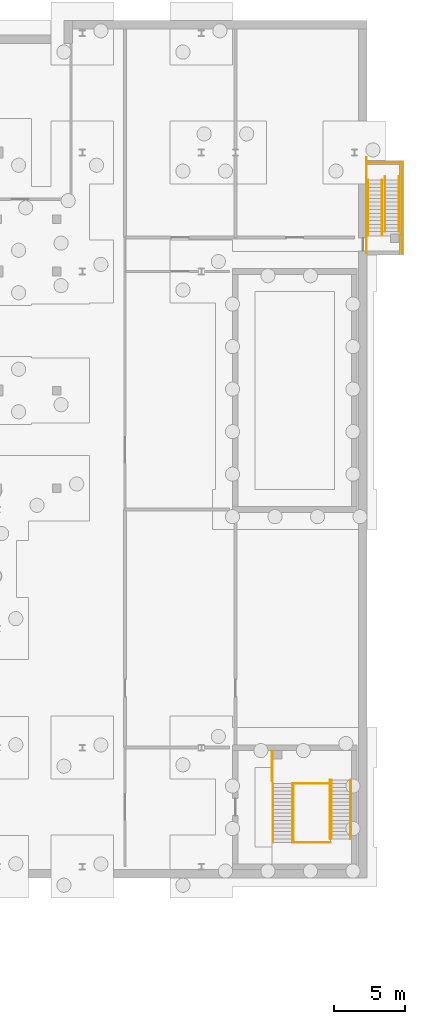
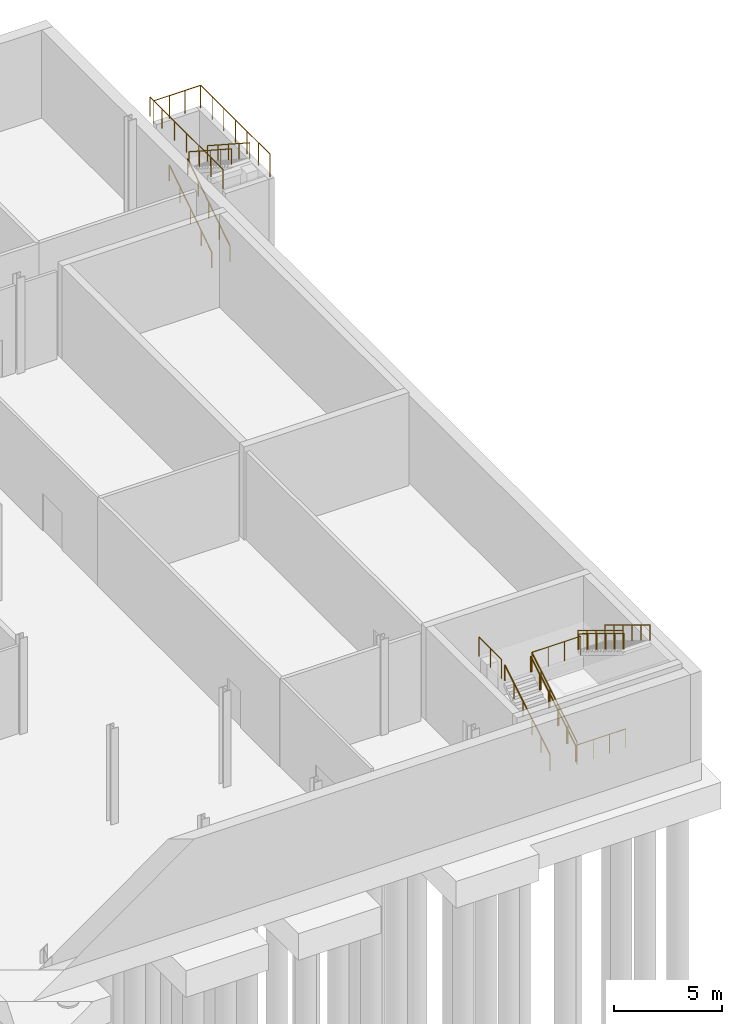
# One storey, part 29 of 29: 15 railings.
"""IFC4 building model written with IfcOpenShell, lengths in metres."""

from ifc_helpers import new_model, si_unit, direction, frame, origin, origin_2d, place, context, subcontext, project, spatial, circle, extrude, material, type_object, element, save


model = new_model("IFC4")

# Units and contexts
model_context = context("Model", 3, precision=1e-05, world=origin(), true_north=direction((0.0, 1.0)))
body_context = subcontext(model_context, "Body", "Model", "MODEL_VIEW")
ifc_project = project(units=[si_unit("LENGTHUNIT", "METRE"), si_unit("AREAUNIT", "SQUARE_METRE"), si_unit("VOLUMEUNIT", "CUBIC_METRE"), si_unit("PLANEANGLEUNIT", "RADIAN"), si_unit("MASSUNIT", "GRAM", prefix="KILO")], contexts=[model_context])

# Site, building, storey
site_placement = place(None, origin())
site = spatial("IfcSite", under=ifc_project, at=site_placement, CompositionType="ELEMENT")
building_placement = place(site_placement, origin())
building = spatial("IfcBuilding", under=site, at=building_placement, Name="Cresset Court Congress Hotel", CompositionType="ELEMENT")
storey_placement = place(building_placement, frame((0.0, 0.0, -5.39990234375)))
storey = spatial("IfcBuildingStorey", under=building, at=storey_placement, Name="B1", CompositionType="ELEMENT", Elevation=-5.39990234375)

# Railings
ifc_material_1 = material(Name="Stainless steel", Category="steel")
railing_type_1 = type_object("IfcRailingType", Name="Stair guard 1100", PredefinedType="GUARDRAIL", material=ifc_material_1)
railing_1_placement = place(storey_placement, frame((170.60009765625, 6.06005859375, 2.699951171875)))
element("IfcRailing", 1, at=railing_1_placement, inside=storey, type_object=railing_type_1, Name="Guard A1 B1", PredefinedType="GUARDRAIL", context=body_context, shape_type="SweptSolid", body=[
    extrude(circle(Radius=0.02392578125, at=origin_2d()), frame((0.0, 0.0, 1.076171875), z_axis=(0.0, 1.0, 0.0), x_axis=(-1.0, 0.0, 0.0)), (0.0, 0.0, 1.0), 2.08984375),
    extrude(circle(Radius=0.02099609375, at=origin_2d()), origin(), (0.0, 0.0, 1.0), 1.052001953125),
    extrude(circle(Radius=0.02099609375, at=origin_2d()), frame((0.0, 1.044921875, 0.0)), (0.0, 0.0, 1.0), 1.052001953125),
    extrude(circle(Radius=0.02099609375, at=origin_2d()), frame((0.0, 2.08984375, 0.0)), (0.0, 0.0, 1.0), 1.052001953125),
])
railing_2_placement = place(storey_placement, frame((172.10009765625, 1.699951171875, 0.15869140625)))
element("IfcRailing", 2, at=railing_2_placement, inside=storey, type_object=railing_type_1, Name="Guard A1 B1", PredefinedType="GUARDRAIL", context=body_context, shape_type="SweptSolid", body=[
    extrude(circle(Radius=0.02392578125, at=origin_2d()), frame((0.0, 0.0, 1.076171875), z_axis=(0.0, 0.853378379481, 0.52129199249), x_axis=(-1.0, 0.0, 0.0)), (0.0, 0.0, 1.0), 4.875),
    extrude(circle(Radius=0.02099609375, at=origin_2d()), origin(), (0.0, 0.0, 1.0), 1.052001953125),
    extrude(circle(Radius=0.02099609375, at=origin_2d()), frame((0.0, 0.83203125, 0.50830078125)), (0.0, 0.0, 1.0), 1.052001953125),
    extrude(circle(Radius=0.02099609375, at=origin_2d()), frame((0.0, 1.6640625, 1.0166015625)), (0.0, 0.0, 1.0), 1.052001953125),
    extrude(circle(Radius=0.02099609375, at=origin_2d()), frame((0.0, 2.49609375, 1.524658203125)), (0.0, 0.0, 1.0), 1.052001953125),
    extrude(circle(Radius=0.02099609375, at=origin_2d()), frame((0.0, 3.328125, 2.032958984375)), (0.0, 0.0, 1.0), 1.052001953125),
    extrude(circle(Radius=0.02099609375, at=origin_2d()), frame((0.0, 4.16015625, 2.541259765625)), (0.0, 0.0, 1.0), 1.052001953125),
])
railing_3_placement = place(storey_placement, frame((174.699951171875, 6.1201171875, 2.858642578125)))
element("IfcRailing", 3, at=railing_3_placement, inside=storey, type_object=railing_type_1, Name="Guard A1 B1", PredefinedType="GUARDRAIL", context=body_context, shape_type="SweptSolid", body=[
    extrude(circle(Radius=0.02392578125, at=origin_2d()), frame((0.0, 0.0, 1.076171875), z_axis=(0.0, -0.853378379481, 0.52129199249), x_axis=(1.0, 0.0, 0.0)), (0.0, 0.0, 1.0), 4.875),
    extrude(circle(Radius=0.02099609375, at=origin_2d()), origin(), (0.0, 0.0, 1.0), 1.052001953125),
    extrude(circle(Radius=0.02099609375, at=origin_2d()), frame((0.0, -0.83203125, 0.50830078125)), (0.0, 0.0, 1.0), 1.052001953125),
    extrude(circle(Radius=0.02099609375, at=origin_2d()), frame((0.0, -1.6640625, 1.0166015625)), (0.0, 0.0, 1.0), 1.052001953125),
    extrude(circle(Radius=0.02099609375, at=origin_2d()), frame((0.0, -2.49609375, 1.524658203125)), (0.0, 0.0, 1.0), 1.052001953125),
    extrude(circle(Radius=0.02099609375, at=origin_2d()), frame((0.0, -3.328125, 2.032958984375)), (0.0, 0.0, 1.0), 1.052001953125),
    extrude(circle(Radius=0.02099609375, at=origin_2d()), frame((0.0, -4.16015625, 2.541259765625)), (0.0, 0.0, 1.0), 1.052001953125),
])
for number, where, name in (
    (4, (172.10009765625, 1.699951171875, 0.0), "Guard A1 B1"),
    (5, (172.10009765625, 5.860107421875, 2.699951171875), "Guard A1 B1"),
):
    element("IfcRailing", number, at=place(storey_placement, frame(where)), inside=storey, type_object=railing_type_1, Name=name, PredefinedType="GUARDRAIL", context=body_context, shape_type="SweptSolid", body=[
        extrude(circle(Radius=0.02392578125, at=origin_2d()), frame((0.0, 0.0, 1.076171875), z_axis=(1.0, 0.0, 0.0), x_axis=(0.0, 1.0, 0.0)), (0.0, 0.0, 1.0), 2.599853515625),
        extrude(circle(Radius=0.02099609375, at=origin_2d()), origin(), (0.0, 0.0, 1.0), 1.052001953125),
        extrude(circle(Radius=0.02099609375, at=origin_2d()), frame((0.86669921875, 0.0, 0.0)), (0.0, 0.0, 1.0), 1.052001953125),
        extrude(circle(Radius=0.02099609375, at=origin_2d()), frame((1.733154296875, 0.0, 0.0)), (0.0, 0.0, 1.0), 1.052001953125),
        extrude(circle(Radius=0.02099609375, at=origin_2d()), frame((2.599853515625, 0.0, 0.0)), (0.0, 0.0, 1.0), 1.052001953125),
    ])
railing_4_placement = place(storey_placement, frame((177.25, 43.300048828125, 5.39990234375)))
element("IfcRailing", 6, at=railing_4_placement, inside=storey, type_object=railing_type_1, Name="Guard A3 well west", PredefinedType="GUARDRAIL", context=body_context, shape_type="SweptSolid", body=[
    extrude(circle(Radius=0.02392578125, at=origin_2d()), frame((0.0, 0.0, 1.076171875), z_axis=(0.0, 1.0, 0.0), x_axis=(-1.0, 0.0, 0.0)), (0.0, 0.0, 1.0), 6.75),
    extrude(circle(Radius=0.02099609375, at=origin_2d()), origin(), (0.0, 0.0, 1.0), 1.052001953125),
    extrude(circle(Radius=0.02099609375, at=origin_2d()), frame((0.0, 1.125, 0.0)), (0.0, 0.0, 1.0), 1.052001953125),
    extrude(circle(Radius=0.02099609375, at=origin_2d()), frame((0.0, 2.25, 0.0)), (0.0, 0.0, 1.0), 1.052001953125),
    extrude(circle(Radius=0.02099609375, at=origin_2d()), frame((0.0, 3.375, 0.0)), (0.0, 0.0, 1.0), 1.052001953125),
    extrude(circle(Radius=0.02099609375, at=origin_2d()), frame((0.0, 4.5, 0.0)), (0.0, 0.0, 1.0), 1.052001953125),
    extrude(circle(Radius=0.02099609375, at=origin_2d()), frame((0.0, 5.625, 0.0)), (0.0, 0.0, 1.0), 1.052001953125),
    extrude(circle(Radius=0.02099609375, at=origin_2d()), frame((0.0, 6.75, 0.0)), (0.0, 0.0, 1.0), 1.052001953125),
])
ifc_material_2 = material(Name="Stainless steel", Category="steel")
railing_type_2 = type_object("IfcRailingType", Name="Stair guard 1300", PredefinedType="GUARDRAIL", material=ifc_material_2)
railing_5_placement = place(storey_placement, frame((177.25, 49.699951171875, 5.199951171875)))
element("IfcRailing", 7, at=railing_5_placement, inside=storey, type_object=railing_type_2, Name="Guard A3 well north and east", PredefinedType="GUARDRAIL", context=body_context, shape_type="SweptSolid", body=[
    extrude(circle(Radius=0.02392578125, at=origin_2d()), frame((0.0, 0.0, 1.27587890625), z_axis=(1.0, 0.0, 0.0), x_axis=(0.0, 1.0, 0.0)), (0.0, 0.0, 1.0), 2.5),
    extrude(circle(Radius=0.02392578125, at=origin_2d()), frame((2.5, 0.0, 1.27587890625), z_axis=(0.0, -1.0, 0.0), x_axis=(1.0, 0.0, 0.0)), (0.0, 0.0, 1.0), 6.39990234375),
    extrude(circle(Radius=0.02099609375, at=origin_2d()), origin(), (0.0, 0.0, 1.0), 1.251953125),
    extrude(circle(Radius=0.02099609375, at=origin_2d()), frame((0.833251953125, 0.0, 0.0)), (0.0, 0.0, 1.0), 1.251953125),
    extrude(circle(Radius=0.02099609375, at=origin_2d()), frame((1.666748046875, 0.0, 0.0)), (0.0, 0.0, 1.0), 1.251953125),
    extrude(circle(Radius=0.02099609375, at=origin_2d()), frame((2.5, 0.0, 0.0)), (0.0, 0.0, 1.0), 1.251953125),
    extrude(circle(Radius=0.02099609375, at=origin_2d()), frame((2.5, -1.066650390625, 0.0)), (0.0, 0.0, 1.0), 1.251953125),
    extrude(circle(Radius=0.02099609375, at=origin_2d()), frame((2.5, -2.13330078125, 0.0)), (0.0, 0.0, 1.0), 1.251953125),
    extrude(circle(Radius=0.02099609375, at=origin_2d()), frame((2.5, -3.199951171875, 0.0)), (0.0, 0.0, 1.0), 1.251953125),
    extrude(circle(Radius=0.02099609375, at=origin_2d()), frame((2.5, -4.2666015625, 0.0)), (0.0, 0.0, 1.0), 1.251953125),
    extrude(circle(Radius=0.02099609375, at=origin_2d()), frame((2.5, -5.333251953125, 0.0)), (0.0, 0.0, 1.0), 1.251953125),
    extrude(circle(Radius=0.02099609375, at=origin_2d()), frame((2.5, -6.39990234375, 0.0)), (0.0, 0.0, 1.0), 1.251953125),
])
ifc_material_3 = material(Name="Stainless steel", Category="steel")
railing_type_3 = type_object("IfcRailingType", Name="Stair handrail 900", PredefinedType="HANDRAIL", material=ifc_material_3)
for number, where, name in (
    (8, (170.659912109375, 1.699951171875, 0.15869140625), "Handrail A1 B1"),
    (9, (172.0400390625, 1.699951171875, 0.15869140625), "Handrail A1 B1"),
):
    element("IfcRailing", number, at=place(storey_placement, frame(where)), inside=storey, type_object=railing_type_3, Name=name, PredefinedType="HANDRAIL", context=body_context, shape_type="SweptSolid", body=[
        extrude(circle(Radius=0.02392578125, at=origin_2d()), frame((0.0, 0.0, 0.8759765625), z_axis=(0.0, 0.853378379481, 0.52129199249), x_axis=(-1.0, 0.0, 0.0)), (0.0, 0.0, 1.0), 4.875),
        extrude(circle(Radius=0.02099609375, at=origin_2d()), origin(), (0.0, 0.0, 1.0), 0.851806640625),
        extrude(circle(Radius=0.02099609375, at=origin_2d()), frame((0.0, 0.83203125, 0.50830078125)), (0.0, 0.0, 1.0), 0.851806640625),
        extrude(circle(Radius=0.02099609375, at=origin_2d()), frame((0.0, 1.6640625, 1.0166015625)), (0.0, 0.0, 1.0), 0.851806640625),
        extrude(circle(Radius=0.02099609375, at=origin_2d()), frame((0.0, 2.49609375, 1.524658203125)), (0.0, 0.0, 1.0), 0.851806640625),
        extrude(circle(Radius=0.02099609375, at=origin_2d()), frame((0.0, 3.328125, 2.032958984375)), (0.0, 0.0, 1.0), 0.851806640625),
        extrude(circle(Radius=0.02099609375, at=origin_2d()), frame((0.0, 4.16015625, 2.541259765625)), (0.0, 0.0, 1.0), 0.851806640625),
    ])
for number, where, name in (
    (10, (174.760009765625, 6.1201171875, 2.858642578125), "Handrail A1 B1"),
    (11, (176.139892578125, 6.1201171875, 2.858642578125), "Handrail A1 B1"),
):
    element("IfcRailing", number, at=place(storey_placement, frame(where)), inside=storey, type_object=railing_type_3, Name=name, PredefinedType="HANDRAIL", context=body_context, shape_type="SweptSolid", body=[
        extrude(circle(Radius=0.02392578125, at=origin_2d()), frame((0.0, 0.0, 0.8759765625), z_axis=(0.0, -0.853378379481, 0.52129199249), x_axis=(1.0, 0.0, 0.0)), (0.0, 0.0, 1.0), 4.875),
        extrude(circle(Radius=0.02099609375, at=origin_2d()), origin(), (0.0, 0.0, 1.0), 0.851806640625),
        extrude(circle(Radius=0.02099609375, at=origin_2d()), frame((0.0, -0.83203125, 0.50830078125)), (0.0, 0.0, 1.0), 0.851806640625),
        extrude(circle(Radius=0.02099609375, at=origin_2d()), frame((0.0, -1.6640625, 1.0166015625)), (0.0, 0.0, 1.0), 0.851806640625),
        extrude(circle(Radius=0.02099609375, at=origin_2d()), frame((0.0, -2.49609375, 1.524658203125)), (0.0, 0.0, 1.0), 0.851806640625),
        extrude(circle(Radius=0.02099609375, at=origin_2d()), frame((0.0, -3.328125, 2.032958984375)), (0.0, 0.0, 1.0), 0.851806640625),
        extrude(circle(Radius=0.02099609375, at=origin_2d()), frame((0.0, -4.16015625, 2.541259765625)), (0.0, 0.0, 1.0), 0.851806640625),
    ])
for number, where, name in (
    (12, (177.360107421875, 44.550048828125, 0.168701171875), "Handrail A3 B1"),
    (13, (178.340087890625, 44.550048828125, 0.168701171875), "Handrail A3 B1"),
):
    element("IfcRailing", number, at=place(storey_placement, frame(where)), inside=storey, type_object=railing_type_3, Name=name, PredefinedType="HANDRAIL", context=body_context, shape_type="SweptSolid", body=[
        extrude(circle(Radius=0.02392578125, at=origin_2d()), frame((0.0, 0.0, 0.8759765625), z_axis=(0.0, 0.838805745541, 0.544430823198), x_axis=(-1.0, 0.0, 0.0)), (0.0, 0.0, 1.0), 4.6494140625),
        extrude(circle(Radius=0.02099609375, at=origin_2d()), origin(), (0.0, 0.0, 1.0), 0.851806640625),
        extrude(circle(Radius=0.02099609375, at=origin_2d()), frame((0.0, 0.97509765625, 0.6328125)), (0.0, 0.0, 1.0), 0.851806640625),
        extrude(circle(Radius=0.02099609375, at=origin_2d()), frame((0.0, 1.949951171875, 1.265625)), (0.0, 0.0, 1.0), 0.851806640625),
        extrude(circle(Radius=0.02099609375, at=origin_2d()), frame((0.0, 2.9248046875, 1.8984375)), (0.0, 0.0, 1.0), 0.851806640625),
        extrude(circle(Radius=0.02099609375, at=origin_2d()), frame((0.0, 3.89990234375, 2.53125)), (0.0, 0.0, 1.0), 0.851806640625),
    ])
for number, where, name in (
    (14, (178.56005859375, 48.7099609375, 2.86865234375), "Handrail A3 B1"),
    (15, (179.5400390625, 48.7099609375, 2.86865234375), "Handrail A3 B1"),
):
    element("IfcRailing", number, at=place(storey_placement, frame(where)), inside=storey, type_object=railing_type_3, Name=name, PredefinedType="HANDRAIL", context=body_context, shape_type="SweptSolid", body=[
        extrude(circle(Radius=0.02392578125, at=origin_2d()), frame((0.0, 0.0, 0.8759765625), z_axis=(0.0, -0.838805745541, 0.544430823198), x_axis=(1.0, 0.0, 0.0)), (0.0, 0.0, 1.0), 4.6494140625),
        extrude(circle(Radius=0.02099609375, at=origin_2d()), origin(), (0.0, 0.0, 1.0), 0.851806640625),
        extrude(circle(Radius=0.02099609375, at=origin_2d()), frame((0.0, -0.97509765625, 0.6328125)), (0.0, 0.0, 1.0), 0.851806640625),
        extrude(circle(Radius=0.02099609375, at=origin_2d()), frame((0.0, -1.949951171875, 1.265625)), (0.0, 0.0, 1.0), 0.851806640625),
        extrude(circle(Radius=0.02099609375, at=origin_2d()), frame((0.0, -2.9248046875, 1.8984375)), (0.0, 0.0, 1.0), 0.851806640625),
        extrude(circle(Radius=0.02099609375, at=origin_2d()), frame((0.0, -3.89990234375, 2.53125)), (0.0, 0.0, 1.0), 0.851806640625),
    ])

save(model, "model.ifc")
